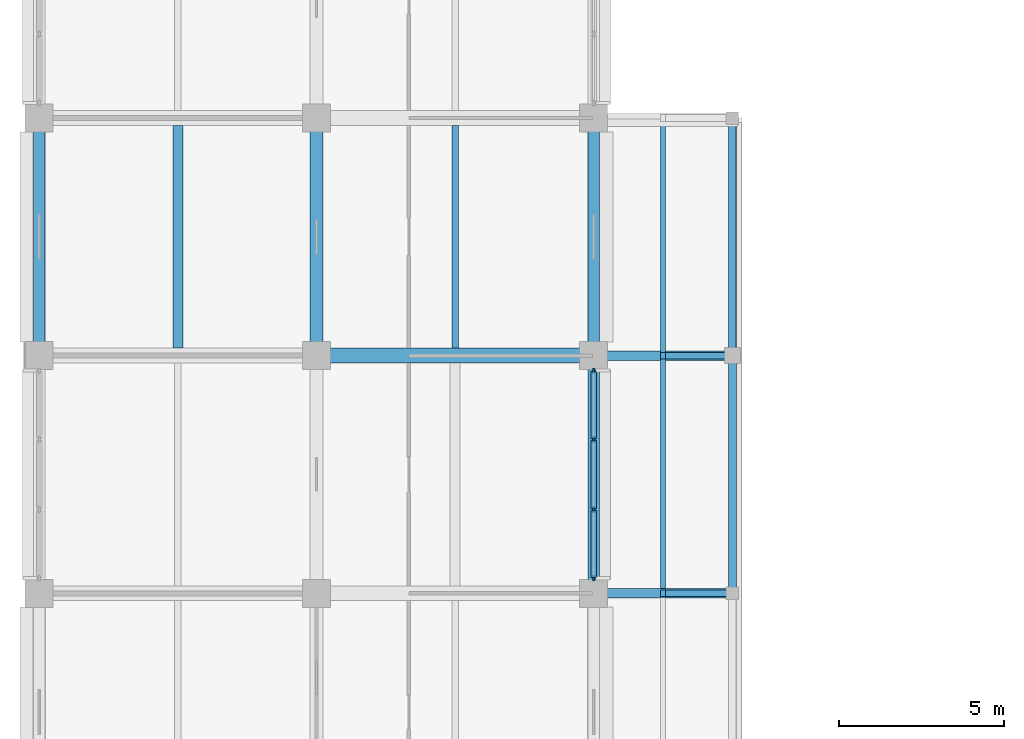
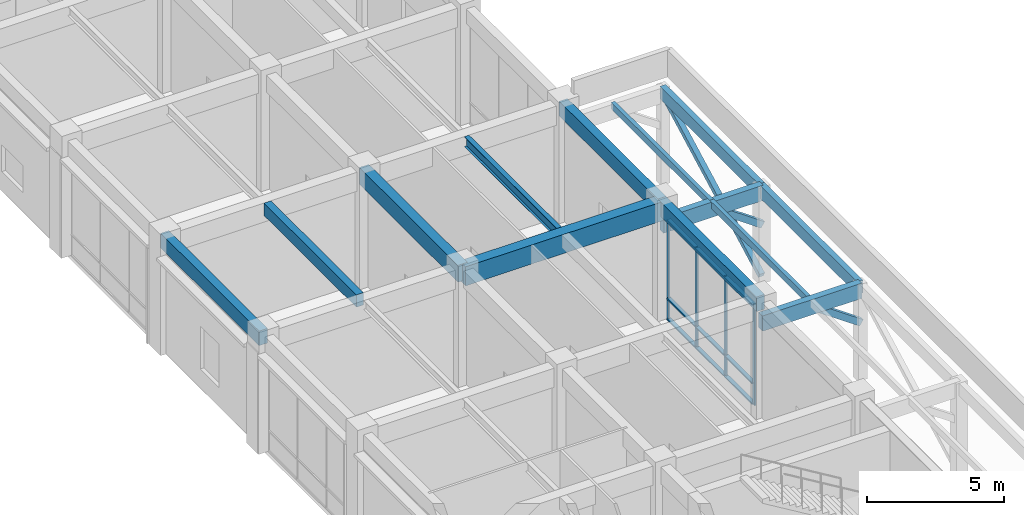
# One storey, part 7 of 68: 18 members, 11 beams, 1 element without a shape of its own.
"""IFC4 building model written with IfcOpenShell, lengths in metres."""

from ifc_helpers import new_model, si_unit, direction, frame, origin, origin_2d, place, context, subcontext, project, spatial, rectangle, i_section, extrude, material, layer, layer_set, material_profile, profile_set, type_object, element, aggregate, save


model = new_model("IFC4")

# Units and contexts
model_context = context("Model", 3, precision=1e-05, world=origin(), true_north=direction((0.0, 1.0)))
body_context = subcontext(model_context, "Body", "Model", "MODEL_VIEW")
ifc_project = project(units=[si_unit("LENGTHUNIT", "METRE"), si_unit("AREAUNIT", "SQUARE_METRE"), si_unit("VOLUMEUNIT", "CUBIC_METRE"), si_unit("PLANEANGLEUNIT", "RADIAN"), si_unit("MASSUNIT", "GRAM", prefix="KILO")], contexts=[model_context])

# Site, building, storey
site_placement = place(None, origin())
site = spatial("IfcSite", under=ifc_project, at=site_placement, CompositionType="ELEMENT")
building_placement = place(site_placement, origin())
building = spatial("IfcBuilding", under=site, at=building_placement, Name="Chengyuan Square Courthouse", CompositionType="ELEMENT")
storey_placement = place(building_placement, frame((0.0, 0.0, 5.39990234375)))
storey = spatial("IfcBuildingStorey", under=building, at=storey_placement, Name="L02", CompositionType="ELEMENT", Elevation=5.39990234375)

# Beams
ifc_material_1 = material(Name="Concrete C40", Category="concrete")
ifc_material_profile_1 = material_profile(ifc_material_1, rectangle(XDim=0.449951171875, YDim=0.85009765625, at=origin_2d()), Name="RC-BM-450x850")
ifc_profile_set_1 = profile_set([ifc_material_profile_1], Name="Concrete C40")
beam_type_1 = type_object("IfcBeamType", Name="BM-01", PredefinedType="USERDEFINED", material=ifc_profile_set_1)
beam_1_placement = place(storey_placement, frame((8.39990234375, 57.60009765625, 4.695068359375), z_axis=(1.0, 0.0, 0.0), x_axis=(0.0, 1.0, 0.0)))
element("IfcBeam", 1, at=beam_1_placement, inside=storey, type_object=beam_type_1, Name="Girder BM-L02-2104", ObjectType="GIRDER", PredefinedType="USERDEFINED", context=body_context, shape_type="SweptSolid", body=[
    extrude(rectangle(XDim=0.449951171875, YDim=0.85009765625, at=origin_2d()), origin(), (0.0, 0.0, 1.0), 8.400146484375),
])
ifc_material_profile_2 = material_profile(ifc_material_1, rectangle(XDim=0.39990234375, YDim=0.75, at=origin_2d()), Name="RC-BM-400x750")
ifc_profile_set_2 = profile_set([ifc_material_profile_2], Name="Concrete C40")
beam_type_2 = type_object("IfcBeamType", Name="BM-02", PredefinedType="USERDEFINED", material=ifc_profile_set_2)
beam_2_placement = place(storey_placement, frame((8.39990234375, 57.60009765625, 4.7451171875), z_axis=(0.0, 1.0, 0.0), x_axis=(-1.0, 0.0, 0.0)))
element("IfcBeam", 2, at=beam_2_placement, inside=storey, type_object=beam_type_2, Name="Girder BM-L02-2250", ObjectType="GIRDER", PredefinedType="USERDEFINED", context=body_context, shape_type="SweptSolid", body=[
    extrude(rectangle(XDim=0.39990234375, YDim=0.75, at=origin_2d()), origin(), (0.0, 0.0, 1.0), 7.199951171875),
])
ifc_material_profile_3 = material_profile(ifc_material_1, rectangle(XDim=0.35009765625, YDim=0.64990234375, at=origin_2d()), Name="RC-BM-350x650")
ifc_profile_set_3 = profile_set([ifc_material_profile_3], Name="Concrete C40")
beam_type_3 = type_object("IfcBeamType", Name="BM-03", PredefinedType="SPANDREL", material=ifc_profile_set_3)
beam_3_placement = place(storey_placement, frame((0.0, 57.60009765625, 4.795166015625), z_axis=(0.0, 1.0, 0.0), x_axis=(-1.0, 0.0, 0.0)))
element("IfcBeam", 3, at=beam_3_placement, inside=storey, type_object=beam_type_3, Name="Girder BM-L02-2235", PredefinedType="SPANDREL", context=body_context, shape_type="SweptSolid", body=[
    extrude(rectangle(XDim=0.35009765625, YDim=0.64990234375, at=origin_2d()), origin(), (0.0, 0.0, 1.0), 7.199951171875),
])
beam_4_placement = place(storey_placement, frame((16.800048828125, 50.39990234375, 4.795166015625), z_axis=(0.0, 1.0, 0.0), x_axis=(-1.0, 0.0, 0.0)))
element("IfcBeam", 4, at=beam_4_placement, inside=storey, type_object=beam_type_3, Name="Girder BM-L02-2264", PredefinedType="SPANDREL", context=body_context, shape_type="SweptSolid", body=[
    extrude(rectangle(XDim=0.35009765625, YDim=0.64990234375, at=origin_2d()), origin(), (0.0, 0.0, 1.0), 7.2001953125),
])
beam_5_placement = place(storey_placement, frame((16.800048828125, 57.60009765625, 4.795166015625), z_axis=(0.0, 1.0, 0.0), x_axis=(-1.0, 0.0, 0.0)))
element("IfcBeam", 5, at=beam_5_placement, inside=storey, type_object=beam_type_3, Name="Girder BM-L02-2265", PredefinedType="SPANDREL", context=body_context, shape_type="SweptSolid", body=[
    extrude(rectangle(XDim=0.35009765625, YDim=0.64990234375, at=origin_2d()), origin(), (0.0, 0.0, 1.0), 7.199951171875),
])
ifc_material_profile_4 = material_profile(ifc_material_1, rectangle(XDim=0.300048828125, YDim=0.550048828125, at=origin_2d()), Name="RC-BM-300x550")
ifc_profile_set_4 = profile_set([ifc_material_profile_4], Name="Concrete C40")
beam_type_4 = type_object("IfcBeamType", Name="BM-04", PredefinedType="BEAM", material=ifc_profile_set_4)
beam_6_placement = place(storey_placement, frame((4.199951171875, 57.824951171875, 4.84521484375), z_axis=(0.0, 1.0, 0.0), x_axis=(-1.0, 0.0, 0.0)))
element("IfcBeam", 6, at=beam_6_placement, inside=storey, type_object=beam_type_4, Name="Secondary Floor Beam SBM-L02-2398", PredefinedType="BEAM", context=body_context, shape_type="SweptSolid", body=[
    extrude(rectangle(XDim=0.300048828125, YDim=0.550048828125, at=origin_2d()), origin(), (0.0, 0.0, 1.0), 6.75),
])
ifc_material_2 = material(Name="Steel Q355B", Category="steel")
ifc_material_profile_5 = material_profile(ifc_material_2, i_section(OverallWidth=0.199951171875, OverallDepth=0.449951171875, WebThickness=0.009033203125, FlangeThickness=0.013916015625, at=origin_2d()), Name="HN 450x200x9x14")
ifc_profile_set_5 = profile_set([ifc_material_profile_5], Name="Steel Q355B")
beam_type_5 = type_object("IfcBeamType", Name="BM-06", PredefinedType="BEAM", material=ifc_profile_set_5)
beam_7_placement = place(storey_placement, frame((12.60009765625, 57.824951171875, 4.89501953125), z_axis=(0.0, 1.0, 0.0), x_axis=(-1.0, 0.0, 0.0)))
element("IfcBeam", 7, at=beam_7_placement, inside=storey, type_object=beam_type_5, Name="Secondary Floor Beam SBM-L02-2412", PredefinedType="BEAM", context=body_context, shape_type="SweptSolid", body=[
    extrude(i_section(OverallWidth=0.199951171875, OverallDepth=0.449951171875, WebThickness=0.009033203125, FlangeThickness=0.013916015625, at=origin_2d()), origin(), (0.0, 0.0, 1.0), 6.75),
])

# Member
ifc_material_3 = material(Name="Glulam TCt28", Category="wood")
ifc_material_profile_6 = material_profile(ifc_material_3, rectangle(XDim=0.219970703125, YDim=0.219970703125, at=origin_2d()), Name="GL-BR-220x220")
ifc_profile_set_6 = profile_set([ifc_material_profile_6], Name="Glulam TCt28")
member_type_1 = type_object("IfcMemberType", Name="BR-03", PredefinedType="BRACE", material=ifc_profile_set_6)
member_1_placement = place(storey_placement, frame((21.0, 57.60009765625, 0.2001953125), z_axis=(0.0, 0.883377366963, 0.468662381184), x_axis=(-1.0, 0.0, 0.0)))
element("IfcMember", 8, at=member_1_placement, inside=storey, type_object=member_type_1, Name="Glulam Colonnade Portal Brace GBR-L02-009", PredefinedType="BRACE", context=body_context, shape_type="SweptSolid", body=[
    extrude(rectangle(XDim=0.219970703125, YDim=0.219970703125, at=origin_2d()), origin(), (0.0, 0.0, 1.0), 8.150390625),
])

# Curtain wall, members
ifc_material_4 = material(Name="Unitised Aluminium and Triple Low-E Glass", Category="aluminium")
ifc_layer = layer(ifc_material_4, 0.159912109375)
ifc_layer_set = layer_set([ifc_layer], Name="Unitised Aluminium and Triple Low-E Glass")
curtain_wall_type = type_object("IfcCurtainWallType", Name="CW-17", PredefinedType="USERDEFINED", material=ifc_layer_set)
curtain_wall_placement = place(storey_placement, origin())
curtain_wall = element("IfcCurtainWall", 9, at=curtain_wall_placement, inside=storey, type_object=curtain_wall_type, Name="Unitised Curtain Wall CW-L02-052", ObjectType="UNITISED CURTAIN WALL", PredefinedType="USERDEFINED")
ifc_material_5 = material(Name="Aluminium 6063-T6 Frame", Category="aluminium")
ifc_material_profile_7 = material_profile(ifc_material_5, rectangle(XDim=0.06005859375, YDim=0.159912109375, at=origin_2d()), Name="CW-MUL-60x160")
ifc_profile_set_7 = profile_set([ifc_material_profile_7], Name="Aluminium 6063-T6 Frame")
member_type_2 = type_object("IfcMemberType", Name="CWM-01", PredefinedType="MULLION", material=ifc_profile_set_7)
member_2_placement = place(storey_placement, frame((16.800048828125, 50.85498046875, 0.0), z_axis=(0.0, 0.0, 1.0), x_axis=(-1.0, 0.0, 0.0)))
member_2 = element("IfcMember", 10, at=member_2_placement, type_object=member_type_2, Name="CW-17 mullion 1", PredefinedType="MULLION", context=body_context, shape_type="SweptSolid", body=[
    extrude(rectangle(XDim=0.06005859375, YDim=0.159912109375, at=origin_2d()), origin(), (0.0, 0.0, 1.0), 4.47021484375),
])
member_3_placement = place(storey_placement, frame((16.800048828125, 52.941650390625, 0.0), z_axis=(0.0, 0.0, 1.0), x_axis=(-1.0, 0.0, 0.0)))
member_3 = element("IfcMember", 11, at=member_3_placement, type_object=member_type_2, Name="CW-17 mullion 2", PredefinedType="MULLION", context=body_context, shape_type="SweptSolid", body=[
    extrude(rectangle(XDim=0.06005859375, YDim=0.159912109375, at=origin_2d()), origin(), (0.0, 0.0, 1.0), 4.47021484375),
])
member_4_placement = place(storey_placement, frame((16.800048828125, 55.058349609375, 0.0), z_axis=(0.0, 0.0, 1.0), x_axis=(-1.0, 0.0, 0.0)))
member_4 = element("IfcMember", 12, at=member_4_placement, type_object=member_type_2, Name="CW-17 mullion 3", PredefinedType="MULLION", context=body_context, shape_type="SweptSolid", body=[
    extrude(rectangle(XDim=0.06005859375, YDim=0.159912109375, at=origin_2d()), origin(), (0.0, 0.0, 1.0), 4.47021484375),
])
member_5_placement = place(storey_placement, frame((16.800048828125, 57.14501953125, 0.0), z_axis=(0.0, 0.0, 1.0), x_axis=(-1.0, 0.0, 0.0)))
member_5 = element("IfcMember", 13, at=member_5_placement, type_object=member_type_2, Name="CW-17 mullion 4", PredefinedType="MULLION", context=body_context, shape_type="SweptSolid", body=[
    extrude(rectangle(XDim=0.06005859375, YDim=0.159912109375, at=origin_2d()), origin(), (0.0, 0.0, 1.0), 4.47021484375),
])
ifc_material_profile_8 = material_profile(ifc_material_5, rectangle(XDim=0.159912109375, YDim=0.06005859375, at=origin_2d()), Name="CW-TRN-60x120")
ifc_profile_set_8 = profile_set([ifc_material_profile_8], Name="Aluminium 6063-T6 Frame")
member_type_3 = type_object("IfcMemberType", Name="CWT-01", PredefinedType="USERDEFINED", material=ifc_profile_set_8)
member_6_placement = place(storey_placement, frame((16.800048828125, 50.885009765625, 0.030029296875), z_axis=(0.0, 1.0, 0.0), x_axis=(-1.0, 0.0, 0.0)))
member_6 = element("IfcMember", 14, at=member_6_placement, type_object=member_type_3, Name="CW-17 transom 1.1", ObjectType="TRANSOM", PredefinedType="USERDEFINED", context=body_context, shape_type="SweptSolid", body=[
    extrude(rectangle(XDim=0.159912109375, YDim=0.06005859375, at=origin_2d()), origin(), (0.0, 0.0, 1.0), 2.026611328125),
])
member_7_placement = place(storey_placement, frame((16.800048828125, 50.885009765625, 0.9501953125), z_axis=(0.0, 1.0, 0.0), x_axis=(-1.0, 0.0, 0.0)))
member_7 = element("IfcMember", 15, at=member_7_placement, type_object=member_type_3, Name="CW-17 transom 1.2", ObjectType="TRANSOM", PredefinedType="USERDEFINED", context=body_context, shape_type="SweptSolid", body=[
    extrude(rectangle(XDim=0.159912109375, YDim=0.06005859375, at=origin_2d()), origin(), (0.0, 0.0, 1.0), 2.026611328125),
])
member_8_placement = place(storey_placement, frame((16.800048828125, 50.885009765625, 4.440185546875), z_axis=(0.0, 1.0, 0.0), x_axis=(-1.0, 0.0, 0.0)))
member_8 = element("IfcMember", 16, at=member_8_placement, type_object=member_type_3, Name="CW-17 transom 1.3", ObjectType="TRANSOM", PredefinedType="USERDEFINED", context=body_context, shape_type="SweptSolid", body=[
    extrude(rectangle(XDim=0.159912109375, YDim=0.06005859375, at=origin_2d()), origin(), (0.0, 0.0, 1.0), 2.026611328125),
])
member_9_placement = place(storey_placement, frame((16.800048828125, 52.9716796875, 0.030029296875), z_axis=(0.0, 1.0, 0.0), x_axis=(-1.0, 0.0, 0.0)))
member_9 = element("IfcMember", 17, at=member_9_placement, type_object=member_type_3, Name="CW-17 transom 2.1", ObjectType="TRANSOM", PredefinedType="USERDEFINED", context=body_context, shape_type="SweptSolid", body=[
    extrude(rectangle(XDim=0.159912109375, YDim=0.06005859375, at=origin_2d()), origin(), (0.0, 0.0, 1.0), 2.056640625),
])
member_10_placement = place(storey_placement, frame((16.800048828125, 52.9716796875, 0.9501953125), z_axis=(0.0, 1.0, 0.0), x_axis=(-1.0, 0.0, 0.0)))
member_10 = element("IfcMember", 18, at=member_10_placement, type_object=member_type_3, Name="CW-17 transom 2.2", ObjectType="TRANSOM", PredefinedType="USERDEFINED", context=body_context, shape_type="SweptSolid", body=[
    extrude(rectangle(XDim=0.159912109375, YDim=0.06005859375, at=origin_2d()), origin(), (0.0, 0.0, 1.0), 2.056640625),
])
member_11_placement = place(storey_placement, frame((16.800048828125, 52.9716796875, 4.440185546875), z_axis=(0.0, 1.0, 0.0), x_axis=(-1.0, 0.0, 0.0)))
member_11 = element("IfcMember", 19, at=member_11_placement, type_object=member_type_3, Name="CW-17 transom 2.3", ObjectType="TRANSOM", PredefinedType="USERDEFINED", context=body_context, shape_type="SweptSolid", body=[
    extrude(rectangle(XDim=0.159912109375, YDim=0.06005859375, at=origin_2d()), origin(), (0.0, 0.0, 1.0), 2.056640625),
])
member_12_placement = place(storey_placement, frame((16.800048828125, 55.08837890625, 0.030029296875), z_axis=(0.0, 1.0, 0.0), x_axis=(-1.0, 0.0, 0.0)))
member_12 = element("IfcMember", 20, at=member_12_placement, type_object=member_type_3, Name="CW-17 transom 3.1", ObjectType="TRANSOM", PredefinedType="USERDEFINED", context=body_context, shape_type="SweptSolid", body=[
    extrude(rectangle(XDim=0.159912109375, YDim=0.06005859375, at=origin_2d()), origin(), (0.0, 0.0, 1.0), 2.026611328125),
])
member_13_placement = place(storey_placement, frame((16.800048828125, 55.08837890625, 0.9501953125), z_axis=(0.0, 1.0, 0.0), x_axis=(-1.0, 0.0, 0.0)))
member_13 = element("IfcMember", 21, at=member_13_placement, type_object=member_type_3, Name="CW-17 transom 3.2", ObjectType="TRANSOM", PredefinedType="USERDEFINED", context=body_context, shape_type="SweptSolid", body=[
    extrude(rectangle(XDim=0.159912109375, YDim=0.06005859375, at=origin_2d()), origin(), (0.0, 0.0, 1.0), 2.026611328125),
])
member_14_placement = place(storey_placement, frame((16.800048828125, 55.08837890625, 4.440185546875), z_axis=(0.0, 1.0, 0.0), x_axis=(-1.0, 0.0, 0.0)))
member_14 = element("IfcMember", 22, at=member_14_placement, type_object=member_type_3, Name="CW-17 transom 3.3", ObjectType="TRANSOM", PredefinedType="USERDEFINED", context=body_context, shape_type="SweptSolid", body=[
    extrude(rectangle(XDim=0.159912109375, YDim=0.06005859375, at=origin_2d()), origin(), (0.0, 0.0, 1.0), 2.026611328125),
])
aggregate(curtain_wall, [member_2, member_3, member_4, member_5, member_6, member_7, member_8, member_9, member_10, member_11, member_12, member_13, member_14])

# Beams
ifc_material_profile_9 = material_profile(ifc_material_3, rectangle(XDim=0.280029296875, YDim=0.679931640625, at=origin_2d()), Name="GL-BM-280x680")
ifc_profile_set_9 = profile_set([ifc_material_profile_9], Name="Glulam TCt28")
beam_type_6 = type_object("IfcBeamType", Name="GLB-01", PredefinedType="BEAM", material=ifc_profile_set_9)
for number, where, z_axis, x_axis, name in (
    (23, (16.800048828125, 50.39990234375, 3.960205078125), (1.0, 0.0, 0.0), (0.0, 1.0, 0.0), "Glulam Colonnade Portal Beam GLB-L02-040"),
    (24, (16.800048828125, 57.60009765625, 3.960205078125), (1.0, 0.0, 0.0), (0.0, 1.0, 0.0), "Glulam Colonnade Portal Beam GLB-L02-042"),
):
    element("IfcBeam", number, at=place(storey_placement, frame(where, z_axis=z_axis, x_axis=x_axis)), inside=storey, type_object=beam_type_6, Name=name, PredefinedType="BEAM", context=body_context, shape_type="SweptSolid", body=[
        extrude(rectangle(XDim=0.280029296875, YDim=0.679931640625, at=origin_2d()), origin(), (0.0, 0.0, 1.0), 4.199951171875),
    ])
ifc_material_profile_10 = material_profile(ifc_material_3, rectangle(XDim=0.239990234375, YDim=0.56005859375, at=origin_2d()), Name="GL-BM-240x560")
ifc_profile_set_10 = profile_set([ifc_material_profile_10], Name="Glulam TCt28")
beam_type_7 = type_object("IfcBeamType", Name="GLB-02", PredefinedType="BEAM", material=ifc_profile_set_10)
beam_8_placement = place(storey_placement, frame((21.0, 50.39990234375, 4.02001953125), z_axis=(0.0, 1.0, 0.0), x_axis=(-1.0, 0.0, 0.0)))
element("IfcBeam", 25, at=beam_8_placement, inside=storey, type_object=beam_type_7, Name="Glulam Colonnade Header GLH-L02-008", PredefinedType="BEAM", context=body_context, shape_type="SweptSolid", body=[
    extrude(rectangle(XDim=0.239990234375, YDim=0.56005859375, at=origin_2d()), origin(), (0.0, 0.0, 1.0), 7.2001953125),
])
beam_9_placement = place(storey_placement, frame((21.0, 57.60009765625, 4.02001953125), z_axis=(0.0, 1.0, 0.0), x_axis=(-1.0, 0.0, 0.0)))
element("IfcBeam", 26, at=beam_9_placement, inside=storey, type_object=beam_type_7, Name="Glulam Colonnade Header GLH-L02-009", PredefinedType="BEAM", context=body_context, shape_type="SweptSolid", body=[
    extrude(rectangle(XDim=0.239990234375, YDim=0.56005859375, at=origin_2d()), origin(), (0.0, 0.0, 1.0), 7.199951171875),
])

# Members
ifc_material_profile_11 = material_profile(ifc_material_3, rectangle(XDim=0.159912109375, YDim=0.300048828125, at=origin_2d()), Name="GL-PRL-160x300")
ifc_profile_set_11 = profile_set([ifc_material_profile_11], Name="Glulam TCt28")
member_type_4 = type_object("IfcMemberType", Name="PRL-02", PredefinedType="PURLIN", material=ifc_profile_set_11)
member_15_placement = place(storey_placement, frame((18.89990234375, 50.39990234375, 4.150146484375), z_axis=(0.0, 1.0, 0.0), x_axis=(-1.0, 0.0, 0.0)))
element("IfcMember", 27, at=member_15_placement, inside=storey, type_object=member_type_4, Name="Glulam Canopy Purlin PRL-COL-008", PredefinedType="PURLIN", context=body_context, shape_type="SweptSolid", body=[
    extrude(rectangle(XDim=0.159912109375, YDim=0.300048828125, at=origin_2d()), origin(), (0.0, 0.0, 1.0), 7.2001953125),
])
member_16_placement = place(storey_placement, frame((18.89990234375, 57.60009765625, 4.150146484375), z_axis=(0.0, 1.0, 0.0), x_axis=(-1.0, 0.0, 0.0)))
element("IfcMember", 28, at=member_16_placement, inside=storey, type_object=member_type_4, Name="Glulam Canopy Purlin PRL-COL-009", PredefinedType="PURLIN", context=body_context, shape_type="SweptSolid", body=[
    extrude(rectangle(XDim=0.159912109375, YDim=0.300048828125, at=origin_2d()), origin(), (0.0, 0.0, 1.0), 7.199951171875),
])
ifc_material_profile_12 = material_profile(ifc_material_3, rectangle(XDim=0.199951171875, YDim=0.280029296875, at=origin_2d()), Name="GL-STR-200x280")
ifc_profile_set_12 = profile_set([ifc_material_profile_12], Name="Glulam TCt28")
member_type_5 = type_object("IfcMemberType", Name="STR-01", PredefinedType="STRUT", material=ifc_profile_set_12)
for number, where, z_axis, x_axis, name in (
    (29, (21.0, 50.39990234375, 2.5), (-0.821039413556, 0.0, 0.570871510402), (0.0, -1.0, 0.0), "Glulam Colonnade Knee Strut STR-L02-040"),
    (30, (21.0, 57.60009765625, 2.5), (-0.821039413556, 0.0, 0.570871510402), (0.0, -1.0, 0.0), "Glulam Colonnade Knee Strut STR-L02-042"),
):
    element("IfcMember", number, at=place(storey_placement, frame(where, z_axis=z_axis, x_axis=x_axis)), inside=storey, type_object=member_type_5, Name=name, PredefinedType="STRUT", context=body_context, shape_type="SweptSolid", body=[
        extrude(rectangle(XDim=0.199951171875, YDim=0.280029296875, at=origin_2d()), origin(), (0.0, 0.0, 1.0), 2.557861328125),
    ])

save(model, "model.ifc")
